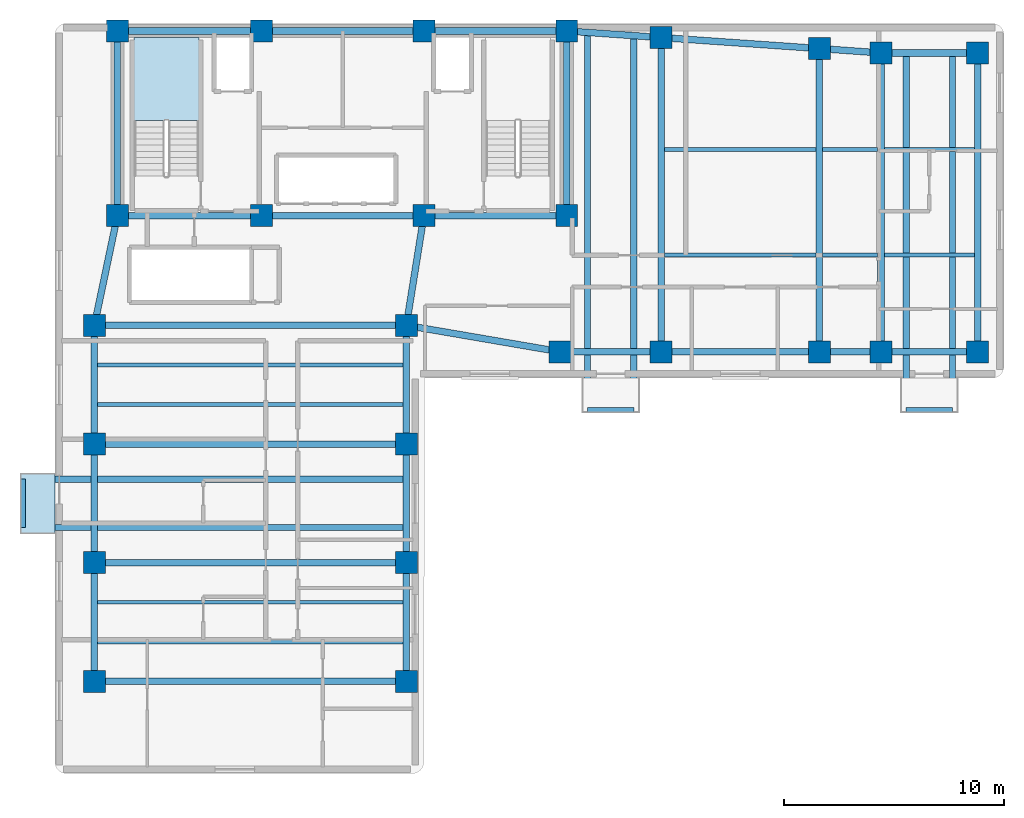
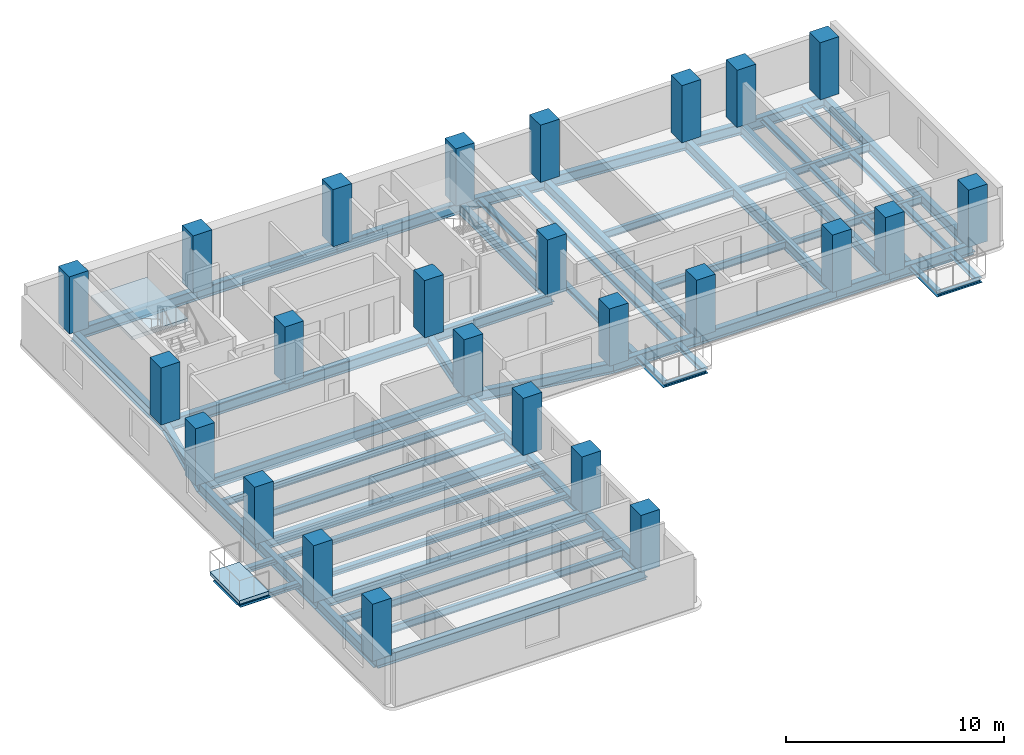
# One storey, part 1 of 7: 52 beams, 25 columns, 2 slabs, 1 element without a shape of its own.
"""IFC4 building model written with IfcOpenShell, lengths in metres."""

from ifc_helpers import new_model, si_unit, direction, frame, origin, origin_2d, place, context, subcontext, project, spatial, polyline, rectangle, i_section, outline, extrude, material, layer, layer_set, material_profile, profile_set, type_object, element, aggregate, save


model = new_model("IFC4")

# Units and contexts
model_context = context("Model", 3, precision=1e-05, world=origin(), true_north=direction((0.0, 1.0)))
body_context = subcontext(model_context, "Body", "Model", "MODEL_VIEW")
ifc_project = project(units=[si_unit("LENGTHUNIT", "METRE"), si_unit("AREAUNIT", "SQUARE_METRE"), si_unit("VOLUMEUNIT", "CUBIC_METRE"), si_unit("PLANEANGLEUNIT", "RADIAN"), si_unit("MASSUNIT", "GRAM", prefix="KILO")], contexts=[model_context])

# Site, building, storey
site_placement = place(None, origin())
site = spatial("IfcSite", under=ifc_project, at=site_placement, CompositionType="ELEMENT")
building_placement = place(site_placement, origin())
building = spatial("IfcBuilding", under=site, at=building_placement, Name="Kuzgunbayir Cultural Tower", CompositionType="ELEMENT")
storey_placement = place(building_placement, frame((0.0, 0.0, 110.60009765625)))
storey = spatial("IfcBuildingStorey", under=building, at=storey_placement, Name="L31", CompositionType="ELEMENT", Elevation=110.60009765625)

# Columns
ifc_material_1 = material(Name="Concrete C50/60", Category="concrete")
ifc_material_profile_1 = material_profile(ifc_material_1, rectangle(XDim=1.0, YDim=1.0, at=origin_2d()), Name="RC 1000x1000")
ifc_profile_set_1 = profile_set([ifc_material_profile_1], Name="Concrete C50/60")
column_type_1 = type_object("IfcColumnType", Name="COL-CORE-1000", PredefinedType="COLUMN", material=ifc_profile_set_1)
for number, where, z_axis, x_axis, name in (
    (1, (6.449951171875, 33.800048828125, 0.0), (0.0, 0.0, 1.0), (1.0, 0.0, 0.0), "L31 T1 Core Boundary Column CC1-1"),
    (2, (13.0, 33.800048828125, 0.0), (0.0, 0.0, 1.0), (1.0, 0.0, 0.0), "L31 T1 Core Boundary Column CC1-2"),
    (3, (20.39990234375, 33.800048828125, 0.0), (0.0, 0.0, 1.0), (1.0, 0.0, 0.0), "L31 T1 Core Boundary Column CC1-3"),
    (4, (26.89990234375, 33.800048828125, 0.0), (0.0, 0.0, 1.0), (1.0, 0.0, 0.0), "L31 T1 Core Boundary Column CC1-4"),
    (5, (6.449951171875, 42.199951171875, 0.0), (0.0, 0.0, 1.0), (1.0, 0.0, 0.0), "L31 T1 Core Boundary Column CC1-5"),
    (6, (13.0, 42.199951171875, 0.0), (0.0, 0.0, 1.0), (1.0, 0.0, 0.0), "L31 T1 Core Boundary Column CC1-6"),
    (7, (20.39990234375, 42.199951171875, 0.0), (0.0, 0.0, 1.0), (1.0, 0.0, 0.0), "L31 T1 Core Boundary Column CC1-7"),
    (8, (26.89990234375, 42.199951171875, 0.0), (0.0, 0.0, 1.0), (1.0, 0.0, 0.0), "L31 T1 Core Boundary Column CC1-8"),
):
    element("IfcColumn", number, at=place(storey_placement, frame(where, z_axis=z_axis, x_axis=x_axis)), inside=storey, type_object=column_type_1, Name=name, PredefinedType="COLUMN", context=body_context, shape_type="SweptSolid", body=[
        extrude(rectangle(XDim=1.0, YDim=1.0, at=origin_2d()), origin(), (0.0, 0.0, 1.0), 3.199951171875),
    ])
ifc_material_profile_2 = material_profile(ifc_material_1, rectangle(XDim=1.0, YDim=1.0, at=origin_2d()), Name="RC 1000x1000")
ifc_profile_set_2 = profile_set([ifc_material_profile_2], Name="Concrete C50/60")
column_type_2 = type_object("IfcColumnType", Name="COL-T1-1000", PredefinedType="COLUMN", material=ifc_profile_set_2)
for number, where, z_axis, x_axis, name in (
    (9, (5.39990234375, 12.60009765625, 0.0), (0.0, 0.0, 1.0), (1.0, 0.0, 0.0), "L31 Tower 1 Wing A Column T1A-W-1"),
    (10, (19.60009765625, 12.60009765625, 0.0), (0.0, 0.0, 1.0), (1.0, 0.0, 0.0), "L31 Tower 1 Wing A Column T1A-E-1"),
    (11, (5.39990234375, 18.0, 0.0), (0.0, 0.0, 1.0), (1.0, 0.0, 0.0), "L31 Tower 1 Wing A Column T1A-W-2"),
    (12, (19.60009765625, 18.0, 0.0), (0.0, 0.0, 1.0), (1.0, 0.0, 0.0), "L31 Tower 1 Wing A Column T1A-E-2"),
    (13, (5.39990234375, 23.39990234375, 0.0), (0.0, 0.0, 1.0), (1.0, 0.0, 0.0), "L31 Tower 1 Wing A Column T1A-W-3"),
    (14, (19.60009765625, 23.39990234375, 0.0), (0.0, 0.0, 1.0), (1.0, 0.0, 0.0), "L31 Tower 1 Wing A Column T1A-E-3"),
    (15, (5.39990234375, 28.800048828125, 0.0), (0.0, 0.0, 1.0), (1.0, 0.0, 0.0), "L31 Tower 1 Wing A Column T1A-W-4"),
    (16, (19.60009765625, 28.800048828125, 0.0), (0.0, 0.0, 1.0), (1.0, 0.0, 0.0), "L31 Tower 1 Wing A Column T1A-E-4"),
    (17, (26.60009765625, 27.60009765625, 0.0), (0.0, 0.0, 1.0), (1.0, 0.0, 0.0), "L31 Tower 1 Wing B Column T1B-1-1"),
    (18, (31.199951171875, 27.60009765625, 0.0), (0.0, 0.0, 1.0), (1.0, 0.0, 0.0), "L31 Tower 1 Wing B Column T1B-2-1"),
    (19, (31.199951171875, 41.89990234375, 0.0), (0.0, 0.0, 1.0), (1.0, 0.0, 0.0), "L31 Tower 1 Wing B Column T1B-2-2"),
    (20, (38.39990234375, 27.60009765625, 0.0), (0.0, 0.0, 1.0), (1.0, 0.0, 0.0), "L31 Tower 1 Wing B Column T1B-3-1"),
    (21, (38.39990234375, 41.39990234375, 0.0), (0.0, 0.0, 1.0), (1.0, 0.0, 0.0), "L31 Tower 1 Wing B Column T1B-3-2"),
    (22, (41.199951171875, 27.60009765625, 0.0), (0.0, 0.0, 1.0), (1.0, 0.0, 0.0), "L31 Tower 1 Wing B Column T1B-4-1"),
    (23, (41.199951171875, 41.199951171875, 0.0), (0.0, 0.0, 1.0), (1.0, 0.0, 0.0), "L31 Tower 1 Wing B Column T1B-4-2"),
    (24, (45.60009765625, 27.60009765625, 0.0), (0.0, 0.0, 1.0), (1.0, 0.0, 0.0), "L31 Tower 1 Wing B Column T1B-5-1"),
    (25, (45.60009765625, 41.199951171875, 0.0), (0.0, 0.0, 1.0), (1.0, 0.0, 0.0), "L31 Tower 1 Wing B Column T1B-5-2"),
):
    element("IfcColumn", number, at=place(storey_placement, frame(where, z_axis=z_axis, x_axis=x_axis)), inside=storey, type_object=column_type_2, Name=name, PredefinedType="COLUMN", context=body_context, shape_type="SweptSolid", body=[
        extrude(rectangle(XDim=1.0, YDim=1.0, at=origin_2d()), origin(), (0.0, 0.0, 1.0), 3.199951171875),
    ])

# Beams
ifc_material_2 = material(Name="Steel S355J2", Category="steel")
ifc_material_profile_3 = material_profile(ifc_material_2, i_section(OverallWidth=0.280029296875, OverallDepth=0.280029296875, WebThickness=0.010498046875, FlangeThickness=0.01806640625, FilletRadius=0.02392578125, at=origin_2d()), Name="HEB 280")
ifc_profile_set_3 = profile_set([ifc_material_profile_3], Name="Steel S355J2")
beam_type_1 = type_object("IfcBeamType", Name="BM-BAL-HEB280", PredefinedType="BEAM", material=ifc_profile_set_3)
for number, where, z_axis, x_axis, name in (
    (26, (2.159912109375, 19.60009765625, -0.340087890625), (1.0, 0.0, 0.0), (0.0, 1.0, 0.0), "L31 Balcony Outrigger Beam BAL-L31-WA2.1"),
    (27, (2.159912109375, 21.800048828125, -0.340087890625), (1.0, 0.0, 0.0), (0.0, 1.0, 0.0), "L31 Balcony Outrigger Beam BAL-L31-WA2.2"),
):
    element("IfcBeam", number, at=place(storey_placement, frame(where, z_axis=z_axis, x_axis=x_axis)), inside=storey, type_object=beam_type_1, Name=name, PredefinedType="BEAM", context=body_context, shape_type="SweptSolid", body=[
        extrude(i_section(OverallWidth=0.280029296875, OverallDepth=0.280029296875, WebThickness=0.010498046875, FlangeThickness=0.01806640625, FilletRadius=0.02392578125, at=origin_2d()), origin(), (0.0, 0.0, 1.0), 17.440185546875),
    ])
beam_1_placement = place(storey_placement, frame((27.85009765625, 24.9599609375, -0.340087890625), z_axis=(0.0, 1.0, 0.0), x_axis=(-1.0, 0.0, 0.0)))
element("IfcBeam", 28, at=beam_1_placement, inside=storey, type_object=beam_type_1, Name="L31 Balcony Outrigger Beam BAL-L31-WB1.1", PredefinedType="BEAM", context=body_context, shape_type="SweptSolid", body=[
    extrude(i_section(OverallWidth=0.280029296875, OverallDepth=0.280029296875, WebThickness=0.010498046875, FlangeThickness=0.01806640625, FilletRadius=0.02392578125, at=origin_2d()), origin(), (0.0, 0.0, 1.0), 17.169921875),
])
beam_2_placement = place(storey_placement, frame((29.949951171875, 24.9599609375, -0.340087890625), z_axis=(0.0, 1.0, 0.0), x_axis=(-1.0, 0.0, 0.0)))
element("IfcBeam", 29, at=beam_2_placement, inside=storey, type_object=beam_type_1, Name="L31 Balcony Outrigger Beam BAL-L31-WB1.2", PredefinedType="BEAM", context=body_context, shape_type="SweptSolid", body=[
    extrude(i_section(OverallWidth=0.280029296875, OverallDepth=0.280029296875, WebThickness=0.010498046875, FlangeThickness=0.01806640625, FilletRadius=0.02392578125, at=origin_2d()), origin(), (0.0, 0.0, 1.0), 17.030029296875),
])
for number, where, z_axis, x_axis, name in (
    (30, (42.35009765625, 24.9599609375, -0.340087890625), (0.0, 1.0, 0.0), (-1.0, 0.0, 0.0), "L31 Balcony Outrigger Beam BAL-L31-WB3.1"),
    (31, (44.449951171875, 24.9599609375, -0.340087890625), (0.0, 1.0, 0.0), (-1.0, 0.0, 0.0), "L31 Balcony Outrigger Beam BAL-L31-WB3.2"),
):
    element("IfcBeam", number, at=place(storey_placement, frame(where, z_axis=z_axis, x_axis=x_axis)), inside=storey, type_object=beam_type_1, Name=name, PredefinedType="BEAM", context=body_context, shape_type="SweptSolid", body=[
        extrude(i_section(OverallWidth=0.280029296875, OverallDepth=0.280029296875, WebThickness=0.010498046875, FlangeThickness=0.01806640625, FilletRadius=0.02392578125, at=origin_2d()), origin(), (0.0, 0.0, 1.0), 16.239990234375),
    ])
ifc_material_profile_4 = material_profile(ifc_material_2, i_section(OverallWidth=0.199951171875, OverallDepth=0.199951171875, WebThickness=0.009033203125, FlangeThickness=0.014892578125, FilletRadius=0.01806640625, at=origin_2d()), Name="HEB 200")
ifc_profile_set_4 = profile_set([ifc_material_profile_4], Name="Steel S355J2")
beam_type_2 = type_object("IfcBeamType", Name="BM-CAN-HEB200", PredefinedType="BEAM", material=ifc_profile_set_4)
beam_3_placement = place(storey_placement, frame((2.159912109375, 19.60009765625, -0.300048828125), z_axis=(0.0, 1.0, 0.0), x_axis=(-1.0, 0.0, 0.0)))
element("IfcBeam", 32, at=beam_3_placement, inside=storey, type_object=beam_type_2, Name="L31 Balcony Edge Header BAL-L31-WA2", PredefinedType="BEAM", context=body_context, shape_type="SweptSolid", body=[
    extrude(i_section(OverallWidth=0.199951171875, OverallDepth=0.199951171875, WebThickness=0.009033203125, FlangeThickness=0.014892578125, FilletRadius=0.01806640625, at=origin_2d()), origin(), (0.0, 0.0, 1.0), 2.199951171875),
])
for number, where, z_axis, x_axis, name in (
    (33, (27.85009765625, 24.9599609375, -0.300048828125), (1.0, 0.0, 0.0), (0.0, 1.0, 0.0), "L31 Balcony Edge Header BAL-L31-WB1"),
    (34, (42.35009765625, 24.9599609375, -0.300048828125), (1.0, 0.0, 0.0), (0.0, 1.0, 0.0), "L31 Balcony Edge Header BAL-L31-WB3"),
):
    element("IfcBeam", number, at=place(storey_placement, frame(where, z_axis=z_axis, x_axis=x_axis)), inside=storey, type_object=beam_type_2, Name=name, PredefinedType="BEAM", context=body_context, shape_type="SweptSolid", body=[
        extrude(i_section(OverallWidth=0.199951171875, OverallDepth=0.199951171875, WebThickness=0.009033203125, FlangeThickness=0.014892578125, FilletRadius=0.01806640625, at=origin_2d()), origin(), (0.0, 0.0, 1.0), 2.099853515625),
    ])
ifc_material_profile_5 = material_profile(ifc_material_2, i_section(OverallWidth=0.300048828125, OverallDepth=0.60009765625, WebThickness=0.015380859375, FlangeThickness=0.030029296875, FilletRadius=0.027099609375, at=origin_2d()), Name="HEB 600")
ifc_profile_set_5 = profile_set([ifc_material_profile_5], Name="Steel S355J2")
beam_type_3 = type_object("IfcBeamType", Name="BM-EXT-HEB600", PredefinedType="BEAM", material=ifc_profile_set_5)
for number, where, z_axis, x_axis, name in (
    (35, (5.39990234375, 12.60009765625, -0.47998046875), (0.0, 1.0, 0.0), (-1.0, 0.0, 0.0), "L31 Wing A West Girder 1"),
    (36, (19.60009765625, 12.60009765625, -0.47998046875), (0.0, 1.0, 0.0), (-1.0, 0.0, 0.0), "L31 Wing A East Girder 1"),
    (37, (5.39990234375, 18.0, -0.47998046875), (0.0, 1.0, 0.0), (-1.0, 0.0, 0.0), "L31 Wing A West Girder 2"),
    (38, (19.60009765625, 18.0, -0.47998046875), (0.0, 1.0, 0.0), (-1.0, 0.0, 0.0), "L31 Wing A East Girder 2"),
):
    element("IfcBeam", number, at=place(storey_placement, frame(where, z_axis=z_axis, x_axis=x_axis)), inside=storey, type_object=beam_type_3, Name=name, PredefinedType="BEAM", context=body_context, shape_type="SweptSolid", body=[
        extrude(i_section(OverallWidth=0.300048828125, OverallDepth=0.60009765625, WebThickness=0.015380859375, FlangeThickness=0.030029296875, FilletRadius=0.027099609375, at=origin_2d()), origin(), (0.0, 0.0, 1.0), 5.39990234375),
    ])
for number, where, z_axis, x_axis, name in (
    (39, (5.39990234375, 23.39990234375, -0.47998046875), (0.0, 1.0, 0.0), (-1.0, 0.0, 0.0), "L31 Wing A West Girder 3"),
    (40, (19.60009765625, 23.39990234375, -0.47998046875), (0.0, 1.0, 0.0), (-1.0, 0.0, 0.0), "L31 Wing A East Girder 3"),
):
    element("IfcBeam", number, at=place(storey_placement, frame(where, z_axis=z_axis, x_axis=x_axis)), inside=storey, type_object=beam_type_3, Name=name, PredefinedType="BEAM", context=body_context, shape_type="SweptSolid", body=[
        extrude(i_section(OverallWidth=0.300048828125, OverallDepth=0.60009765625, WebThickness=0.015380859375, FlangeThickness=0.030029296875, FilletRadius=0.027099609375, at=origin_2d()), origin(), (0.0, 0.0, 1.0), 5.400146484375),
    ])
beam_4_placement = place(storey_placement, frame((26.60009765625, 27.60009765625, -0.47998046875), z_axis=(1.0, 0.0, 0.0), x_axis=(0.0, 1.0, 0.0)))
element("IfcBeam", 41, at=beam_4_placement, inside=storey, type_object=beam_type_3, Name="L31 Wing B South Girder 1", PredefinedType="BEAM", context=body_context, shape_type="SweptSolid", body=[
    extrude(i_section(OverallWidth=0.300048828125, OverallDepth=0.60009765625, WebThickness=0.015380859375, FlangeThickness=0.030029296875, FilletRadius=0.027099609375, at=origin_2d()), origin(), (0.0, 0.0, 1.0), 4.599853515625),
])
beam_5_placement = place(storey_placement, frame((26.89990234375, 42.199951171875, -0.47998046875), z_axis=(0.997574369175, -0.069608749203, 0.0), x_axis=(0.069608749203, 0.997574369175, 0.0)))
element("IfcBeam", 42, at=beam_5_placement, inside=storey, type_object=beam_type_3, Name="L31 Wing B North Girder 1", PredefinedType="BEAM", context=body_context, shape_type="SweptSolid", body=[
    extrude(i_section(OverallWidth=0.300048828125, OverallDepth=0.60009765625, WebThickness=0.015380859375, FlangeThickness=0.030029296875, FilletRadius=0.027099609375, at=origin_2d()), origin(), (0.0, 0.0, 1.0), 4.310546875),
])
beam_6_placement = place(storey_placement, frame((31.199951171875, 27.60009765625, -0.47998046875), z_axis=(1.0, 0.0, 0.0), x_axis=(0.0, 1.0, 0.0)))
element("IfcBeam", 43, at=beam_6_placement, inside=storey, type_object=beam_type_3, Name="L31 Wing B South Girder 2", PredefinedType="BEAM", context=body_context, shape_type="SweptSolid", body=[
    extrude(i_section(OverallWidth=0.300048828125, OverallDepth=0.60009765625, WebThickness=0.015380859375, FlangeThickness=0.030029296875, FilletRadius=0.027099609375, at=origin_2d()), origin(), (0.0, 0.0, 1.0), 7.199951171875),
])
beam_7_placement = place(storey_placement, frame((31.199951171875, 41.89990234375, -0.47998046875), z_axis=(0.997597388498, -0.069278066245, 0.0), x_axis=(0.069278066245, 0.997597388498, 0.0)))
element("IfcBeam", 44, at=beam_7_placement, inside=storey, type_object=beam_type_3, Name="L31 Wing B North Girder 2", PredefinedType="BEAM", context=body_context, shape_type="SweptSolid", body=[
    extrude(i_section(OverallWidth=0.300048828125, OverallDepth=0.60009765625, WebThickness=0.015380859375, FlangeThickness=0.030029296875, FilletRadius=0.027099609375, at=origin_2d()), origin(), (0.0, 0.0, 1.0), 7.21728515625),
])
beam_8_placement = place(storey_placement, frame((38.39990234375, 27.60009765625, -0.47998046875), z_axis=(1.0, 0.0, 0.0), x_axis=(0.0, 1.0, 0.0)))
element("IfcBeam", 45, at=beam_8_placement, inside=storey, type_object=beam_type_3, Name="L31 Wing B South Girder 3", PredefinedType="BEAM", context=body_context, shape_type="SweptSolid", body=[
    extrude(i_section(OverallWidth=0.300048828125, OverallDepth=0.60009765625, WebThickness=0.015380859375, FlangeThickness=0.030029296875, FilletRadius=0.027099609375, at=origin_2d()), origin(), (0.0, 0.0, 1.0), 2.800048828125),
])
beam_9_placement = place(storey_placement, frame((38.39990234375, 41.39990234375, -0.47998046875), z_axis=(0.997460024076, -0.071228508128, 0.0), x_axis=(0.071228508128, 0.997460024076, 0.0)))
element("IfcBeam", 46, at=beam_9_placement, inside=storey, type_object=beam_type_3, Name="L31 Wing B North Girder 3", PredefinedType="BEAM", context=body_context, shape_type="SweptSolid", body=[
    extrude(i_section(OverallWidth=0.300048828125, OverallDepth=0.60009765625, WebThickness=0.015380859375, FlangeThickness=0.030029296875, FilletRadius=0.027099609375, at=origin_2d()), origin(), (0.0, 0.0, 1.0), 2.80712890625),
])
for number, where, z_axis, x_axis, name in (
    (47, (41.199951171875, 27.60009765625, -0.47998046875), (1.0, 0.0, 0.0), (0.0, 1.0, 0.0), "L31 Wing B South Girder 4"),
    (48, (41.199951171875, 41.199951171875, -0.47998046875), (1.0, 0.0, 0.0), (0.0, 1.0, 0.0), "L31 Wing B North Girder 4"),
):
    element("IfcBeam", number, at=place(storey_placement, frame(where, z_axis=z_axis, x_axis=x_axis)), inside=storey, type_object=beam_type_3, Name=name, PredefinedType="BEAM", context=body_context, shape_type="SweptSolid", body=[
        extrude(i_section(OverallWidth=0.300048828125, OverallDepth=0.60009765625, WebThickness=0.015380859375, FlangeThickness=0.030029296875, FilletRadius=0.027099609375, at=origin_2d()), origin(), (0.0, 0.0, 1.0), 4.400146484375),
    ])
ifc_material_profile_6 = material_profile(ifc_material_2, i_section(OverallWidth=0.300048828125, OverallDepth=0.60009765625, WebThickness=0.015380859375, FlangeThickness=0.030029296875, FilletRadius=0.027099609375, at=origin_2d()), Name="HEB 600")
ifc_profile_set_6 = profile_set([ifc_material_profile_6], Name="Steel S355J2")
beam_type_4 = type_object("IfcBeamType", Name="BM-GIR-HEB600", PredefinedType="BEAM", material=ifc_profile_set_6)
beam_10_placement = place(storey_placement, frame((6.449951171875, 33.800048828125, -0.47998046875), z_axis=(1.0, 0.0, 0.0), x_axis=(0.0, 1.0, 0.0)))
element("IfcBeam", 49, at=beam_10_placement, inside=storey, type_object=beam_type_4, Name="L31 Core South Girder 1", PredefinedType="BEAM", context=body_context, shape_type="SweptSolid", body=[
    extrude(i_section(OverallWidth=0.300048828125, OverallDepth=0.60009765625, WebThickness=0.015380859375, FlangeThickness=0.030029296875, FilletRadius=0.027099609375, at=origin_2d()), origin(), (0.0, 0.0, 1.0), 6.550048828125),
])
beam_11_placement = place(storey_placement, frame((13.0, 33.800048828125, -0.47998046875), z_axis=(1.0, 0.0, 0.0), x_axis=(0.0, 1.0, 0.0)))
element("IfcBeam", 50, at=beam_11_placement, inside=storey, type_object=beam_type_4, Name="L31 Core South Girder 2", PredefinedType="BEAM", context=body_context, shape_type="SweptSolid", body=[
    extrude(i_section(OverallWidth=0.300048828125, OverallDepth=0.60009765625, WebThickness=0.015380859375, FlangeThickness=0.030029296875, FilletRadius=0.027099609375, at=origin_2d()), origin(), (0.0, 0.0, 1.0), 7.39990234375),
])
beam_12_placement = place(storey_placement, frame((20.39990234375, 33.800048828125, -0.47998046875), z_axis=(1.0, 0.0, 0.0), x_axis=(0.0, 1.0, 0.0)))
element("IfcBeam", 51, at=beam_12_placement, inside=storey, type_object=beam_type_4, Name="L31 Core South Girder 3", PredefinedType="BEAM", context=body_context, shape_type="SweptSolid", body=[
    extrude(i_section(OverallWidth=0.300048828125, OverallDepth=0.60009765625, WebThickness=0.015380859375, FlangeThickness=0.030029296875, FilletRadius=0.027099609375, at=origin_2d()), origin(), (0.0, 0.0, 1.0), 6.5),
])
beam_13_placement = place(storey_placement, frame((6.449951171875, 42.199951171875, -0.47998046875), z_axis=(1.0, 0.0, 0.0), x_axis=(0.0, 1.0, 0.0)))
element("IfcBeam", 52, at=beam_13_placement, inside=storey, type_object=beam_type_4, Name="L31 Core North Girder 1", PredefinedType="BEAM", context=body_context, shape_type="SweptSolid", body=[
    extrude(i_section(OverallWidth=0.300048828125, OverallDepth=0.60009765625, WebThickness=0.015380859375, FlangeThickness=0.030029296875, FilletRadius=0.027099609375, at=origin_2d()), origin(), (0.0, 0.0, 1.0), 6.550048828125),
])
beam_14_placement = place(storey_placement, frame((13.0, 42.199951171875, -0.47998046875), z_axis=(1.0, 0.0, 0.0), x_axis=(0.0, 1.0, 0.0)))
element("IfcBeam", 53, at=beam_14_placement, inside=storey, type_object=beam_type_4, Name="L31 Core North Girder 2", PredefinedType="BEAM", context=body_context, shape_type="SweptSolid", body=[
    extrude(i_section(OverallWidth=0.300048828125, OverallDepth=0.60009765625, WebThickness=0.015380859375, FlangeThickness=0.030029296875, FilletRadius=0.027099609375, at=origin_2d()), origin(), (0.0, 0.0, 1.0), 7.39990234375),
])
beam_15_placement = place(storey_placement, frame((20.39990234375, 42.199951171875, -0.47998046875), z_axis=(1.0, 0.0, 0.0), x_axis=(0.0, 1.0, 0.0)))
element("IfcBeam", 54, at=beam_15_placement, inside=storey, type_object=beam_type_4, Name="L31 Core North Girder 3", PredefinedType="BEAM", context=body_context, shape_type="SweptSolid", body=[
    extrude(i_section(OverallWidth=0.300048828125, OverallDepth=0.60009765625, WebThickness=0.015380859375, FlangeThickness=0.030029296875, FilletRadius=0.027099609375, at=origin_2d()), origin(), (0.0, 0.0, 1.0), 6.5),
])
for number, where, z_axis, x_axis, name in (
    (55, (6.449951171875, 33.800048828125, -0.47998046875), (0.0, 1.0, 0.0), (-1.0, 0.0, 0.0), "L31 Core West Edge Girder"),
    (56, (26.89990234375, 33.800048828125, -0.47998046875), (0.0, 1.0, 0.0), (-1.0, 0.0, 0.0), "L31 Core East Edge Girder"),
):
    element("IfcBeam", number, at=place(storey_placement, frame(where, z_axis=z_axis, x_axis=x_axis)), inside=storey, type_object=beam_type_4, Name=name, PredefinedType="BEAM", context=body_context, shape_type="SweptSolid", body=[
        extrude(i_section(OverallWidth=0.300048828125, OverallDepth=0.60009765625, WebThickness=0.015380859375, FlangeThickness=0.030029296875, FilletRadius=0.027099609375, at=origin_2d()), origin(), (0.0, 0.0, 1.0), 8.39990234375),
    ])
for number, where, z_axis, x_axis, name in (
    (57, (5.39990234375, 12.60009765625, -0.47998046875), (1.0, 0.0, 0.0), (0.0, 1.0, 0.0), "L31 Wing A Transverse Girder 1"),
    (58, (5.39990234375, 18.0, -0.47998046875), (1.0, 0.0, 0.0), (0.0, 1.0, 0.0), "L31 Wing A Transverse Girder 2"),
    (59, (5.39990234375, 23.39990234375, -0.47998046875), (1.0, 0.0, 0.0), (0.0, 1.0, 0.0), "L31 Wing A Transverse Girder 3"),
    (60, (5.39990234375, 28.800048828125, -0.47998046875), (1.0, 0.0, 0.0), (0.0, 1.0, 0.0), "L31 Wing A Transverse Girder 4"),
):
    element("IfcBeam", number, at=place(storey_placement, frame(where, z_axis=z_axis, x_axis=x_axis)), inside=storey, type_object=beam_type_4, Name=name, PredefinedType="BEAM", context=body_context, shape_type="SweptSolid", body=[
        extrude(i_section(OverallWidth=0.300048828125, OverallDepth=0.60009765625, WebThickness=0.015380859375, FlangeThickness=0.030029296875, FilletRadius=0.027099609375, at=origin_2d()), origin(), (0.0, 0.0, 1.0), 14.2001953125),
    ])
beam_16_placement = place(storey_placement, frame((5.39990234375, 28.800048828125, -0.47998046875), z_axis=(0.205526387753, 0.978651574329, 0.0), x_axis=(-0.978651574329, 0.205526387753, 0.0)))
element("IfcBeam", 61, at=beam_16_placement, inside=storey, type_object=beam_type_4, Name="L31 Wing A West Core Floor Girder", PredefinedType="BEAM", context=body_context, shape_type="SweptSolid", body=[
    extrude(i_section(OverallWidth=0.300048828125, OverallDepth=0.60009765625, WebThickness=0.015380859375, FlangeThickness=0.030029296875, FilletRadius=0.027099609375, at=origin_2d()), origin(), (0.0, 0.0, 1.0), 5.109130859375),
])
beam_17_placement = place(storey_placement, frame((19.60009765625, 28.800048828125, -0.47998046875), z_axis=(0.157952891656, 0.987446648694, 0.0), x_axis=(-0.987446648694, 0.157952891656, 0.0)))
element("IfcBeam", 62, at=beam_17_placement, inside=storey, type_object=beam_type_4, Name="L31 Wing A East Core Floor Girder", PredefinedType="BEAM", context=body_context, shape_type="SweptSolid", body=[
    extrude(i_section(OverallWidth=0.300048828125, OverallDepth=0.60009765625, WebThickness=0.015380859375, FlangeThickness=0.030029296875, FilletRadius=0.027099609375, at=origin_2d()), origin(), (0.0, 0.0, 1.0), 5.0634765625),
])
beam_18_placement = place(storey_placement, frame((31.199951171875, 27.60009765625, -0.47998046875), z_axis=(0.0, 1.0, 0.0), x_axis=(-1.0, 0.0, 0.0)))
element("IfcBeam", 63, at=beam_18_placement, inside=storey, type_object=beam_type_4, Name="L31 Wing B Cross Girder 31", PredefinedType="BEAM", context=body_context, shape_type="SweptSolid", body=[
    extrude(i_section(OverallWidth=0.300048828125, OverallDepth=0.60009765625, WebThickness=0.015380859375, FlangeThickness=0.030029296875, FilletRadius=0.027099609375, at=origin_2d()), origin(), (0.0, 0.0, 1.0), 14.2998046875),
])
beam_19_placement = place(storey_placement, frame((38.39990234375, 27.60009765625, -0.47998046875), z_axis=(0.0, 1.0, 0.0), x_axis=(-1.0, 0.0, 0.0)))
element("IfcBeam", 64, at=beam_19_placement, inside=storey, type_object=beam_type_4, Name="L31 Wing B Cross Girder 38", PredefinedType="BEAM", context=body_context, shape_type="SweptSolid", body=[
    extrude(i_section(OverallWidth=0.300048828125, OverallDepth=0.60009765625, WebThickness=0.015380859375, FlangeThickness=0.030029296875, FilletRadius=0.027099609375, at=origin_2d()), origin(), (0.0, 0.0, 1.0), 13.7998046875),
])
for number, where, z_axis, x_axis, name in (
    (65, (41.199951171875, 27.60009765625, -0.47998046875), (0.0, 1.0, 0.0), (-1.0, 0.0, 0.0), "L31 Wing B Cross Girder 41"),
    (66, (45.60009765625, 27.60009765625, -0.47998046875), (0.0, 1.0, 0.0), (-1.0, 0.0, 0.0), "L31 Wing B Cross Girder 45"),
):
    element("IfcBeam", number, at=place(storey_placement, frame(where, z_axis=z_axis, x_axis=x_axis)), inside=storey, type_object=beam_type_4, Name=name, PredefinedType="BEAM", context=body_context, shape_type="SweptSolid", body=[
        extrude(i_section(OverallWidth=0.300048828125, OverallDepth=0.60009765625, WebThickness=0.015380859375, FlangeThickness=0.030029296875, FilletRadius=0.027099609375, at=origin_2d()), origin(), (0.0, 0.0, 1.0), 13.599853515625),
    ])
beam_20_placement = place(storey_placement, frame((19.60009765625, 28.800048828125, -0.47998046875), z_axis=(0.985623399742, -0.168957136221, 0.0), x_axis=(0.168957136221, 0.985623399742, 0.0)))
element("IfcBeam", 67, at=beam_20_placement, inside=storey, type_object=beam_type_4, Name="L31 Wing B Waist Tie Girder", PredefinedType="BEAM", context=body_context, shape_type="SweptSolid", body=[
    extrude(i_section(OverallWidth=0.300048828125, OverallDepth=0.60009765625, WebThickness=0.015380859375, FlangeThickness=0.030029296875, FilletRadius=0.027099609375, at=origin_2d()), origin(), (0.0, 0.0, 1.0), 7.10205078125),
])
ifc_material_profile_7 = material_profile(ifc_material_2, i_section(OverallWidth=0.179931640625, OverallDepth=0.39990234375, WebThickness=0.008544921875, FlangeThickness=0.013427734375, FilletRadius=0.02099609375, at=origin_2d()), Name="IPE 400")
ifc_profile_set_7 = profile_set([ifc_material_profile_7], Name="Steel S355J2")
beam_type_5 = type_object("IfcBeamType", Name="BM-JST-IPE400", PredefinedType="JOIST", material=ifc_profile_set_7)
for number, where, z_axis, x_axis, name in (
    (68, (5.550048828125, 14.39990234375, -0.380126953125), (1.0, 0.0, 0.0), (0.0, 1.0, 0.0), "L31 Wing A Secondary Joist 1"),
    (69, (5.550048828125, 16.199951171875, -0.380126953125), (1.0, 0.0, 0.0), (0.0, 1.0, 0.0), "L31 Wing A Secondary Joist 2"),
    (70, (5.550048828125, 25.199951171875, -0.380126953125), (1.0, 0.0, 0.0), (0.0, 1.0, 0.0), "L31 Wing A Secondary Joist 5"),
    (71, (5.550048828125, 27.0, -0.380126953125), (1.0, 0.0, 0.0), (0.0, 1.0, 0.0), "L31 Wing A Secondary Joist 6"),
):
    element("IfcBeam", number, at=place(storey_placement, frame(where, z_axis=z_axis, x_axis=x_axis)), inside=storey, type_object=beam_type_5, Name=name, PredefinedType="JOIST", context=body_context, shape_type="SweptSolid", body=[
        extrude(i_section(OverallWidth=0.179931640625, OverallDepth=0.39990234375, WebThickness=0.008544921875, FlangeThickness=0.013427734375, FilletRadius=0.02099609375, at=origin_2d()), origin(), (0.0, 0.0, 1.0), 13.89990234375),
    ])
for number, where, z_axis, x_axis, name in (
    (72, (31.35009765625, 32.0, -0.380126953125), (1.0, 0.0, 0.0), (0.0, 1.0, 0.0), "L31 Wing B Secondary Joist 1.1"),
    (73, (31.35009765625, 36.800048828125, -0.380126953125), (1.0, 0.0, 0.0), (0.0, 1.0, 0.0), "L31 Wing B Secondary Joist 1.2"),
):
    element("IfcBeam", number, at=place(storey_placement, frame(where, z_axis=z_axis, x_axis=x_axis)), inside=storey, type_object=beam_type_5, Name=name, PredefinedType="JOIST", context=body_context, shape_type="SweptSolid", body=[
        extrude(i_section(OverallWidth=0.179931640625, OverallDepth=0.39990234375, WebThickness=0.008544921875, FlangeThickness=0.013427734375, FilletRadius=0.02099609375, at=origin_2d()), origin(), (0.0, 0.0, 1.0), 6.89990234375),
    ])
for number, where, z_axis, x_axis, name in (
    (74, (38.550048828125, 32.0, -0.380126953125), (1.0, 0.0, 0.0), (0.0, 1.0, 0.0), "L31 Wing B Secondary Joist 2.1"),
    (75, (38.550048828125, 36.800048828125, -0.380126953125), (1.0, 0.0, 0.0), (0.0, 1.0, 0.0), "L31 Wing B Secondary Joist 2.2"),
):
    element("IfcBeam", number, at=place(storey_placement, frame(where, z_axis=z_axis, x_axis=x_axis)), inside=storey, type_object=beam_type_5, Name=name, PredefinedType="JOIST", context=body_context, shape_type="SweptSolid", body=[
        extrude(i_section(OverallWidth=0.179931640625, OverallDepth=0.39990234375, WebThickness=0.008544921875, FlangeThickness=0.013427734375, FilletRadius=0.02099609375, at=origin_2d()), origin(), (0.0, 0.0, 1.0), 2.5),
    ])
for number, where, z_axis, x_axis, name in (
    (76, (41.35009765625, 32.0, -0.380126953125), (1.0, 0.0, 0.0), (0.0, 1.0, 0.0), "L31 Wing B Secondary Joist 3.1"),
    (77, (41.35009765625, 36.800048828125, -0.380126953125), (1.0, 0.0, 0.0), (0.0, 1.0, 0.0), "L31 Wing B Secondary Joist 3.2"),
):
    element("IfcBeam", number, at=place(storey_placement, frame(where, z_axis=z_axis, x_axis=x_axis)), inside=storey, type_object=beam_type_5, Name=name, PredefinedType="JOIST", context=body_context, shape_type="SweptSolid", body=[
        extrude(i_section(OverallWidth=0.179931640625, OverallDepth=0.39990234375, WebThickness=0.008544921875, FlangeThickness=0.013427734375, FilletRadius=0.02099609375, at=origin_2d()), origin(), (0.0, 0.0, 1.0), 4.099853515625),
    ])

# Slab
ifc_material_3 = material(Name="Concrete C40/50", Category="concrete")
ifc_layer_1 = layer(ifc_material_3, 0.199951171875)
ifc_layer_set_1 = layer_set([ifc_layer_1], Name="Concrete C40/50")
slab_type_1 = type_object("IfcSlabType", Name="SLB-BAL-STONE", PredefinedType="FLOOR", material=ifc_layer_set_1)
slab_1_placement = place(storey_placement, frame((0.0, 0.0, -0.2001953125)))
element("IfcSlab", 78, at=slab_1_placement, inside=storey, type_object=slab_type_1, Name="L31 Projecting Limestone Balcony BAL-L31-WA2", PredefinedType="FLOOR", context=body_context, shape_type="SweptSolid", body=[
    extrude(outline(polyline([(2.0400390625, 19.35009765625), (3.60009765625, 19.35009765625), (3.60009765625, 22.050048828125), (2.0400390625, 22.050048828125), (2.0400390625, 19.35009765625)])), origin(), (0.0, 0.0, 1.0), 0.2001953125),
])

# Stair, slab
stair_type = type_object("IfcStairType", Name="STR-EXIT-CORE", PredefinedType="HALF_TURN_STAIR", material=ifc_material_3)
stair_placement = place(storey_placement, origin())
stair = element("IfcStair", 79, at=stair_placement, inside=storey, type_object=stair_type, Name="L31 ST-1", PredefinedType="HALF_TURN_STAIR")
ifc_layer_2 = layer(ifc_material_3, 0.179931640625)
ifc_layer_set_2 = layer_set([ifc_layer_2], Name="Concrete C40/50")
slab_type_2 = type_object("IfcSlabType", Name="SLB-LANDING-180", PredefinedType="LANDING", material=ifc_layer_set_2)
slab_2_placement = place(storey_placement, frame((0.0, 0.0, 1.39990234375)))
slab_2 = element("IfcSlab", 80, at=slab_2_placement, type_object=slab_type_2, Name="ST-1 landing 1", PredefinedType="LANDING", context=body_context, shape_type="SweptSolid", body=[
    extrude(outline(polyline([(10.159912109375, 38.1201171875), (10.159912109375, 41.89990234375), (7.199951171875, 41.89990234375), (7.199951171875, 38.1201171875), (10.159912109375, 38.1201171875)])), origin(), (0.0, 0.0, 1.0), 0.199951171875),
])
aggregate(stair, [slab_2])

save(model, "model.ifc")
